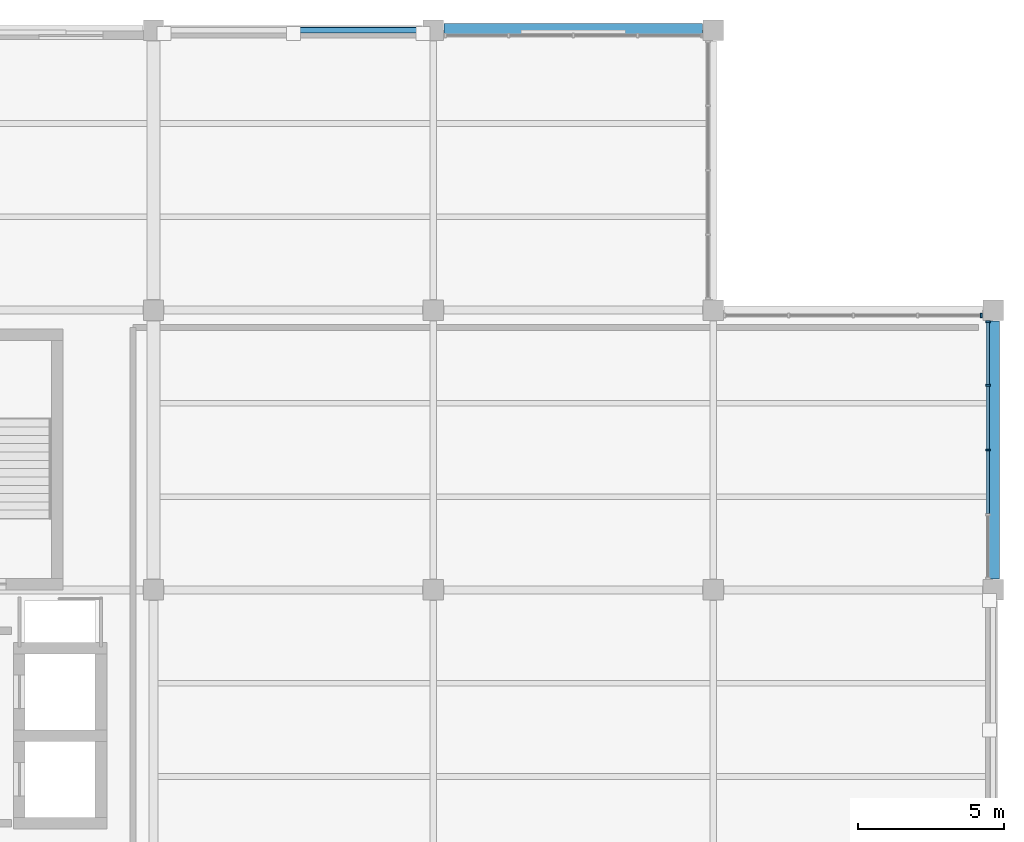
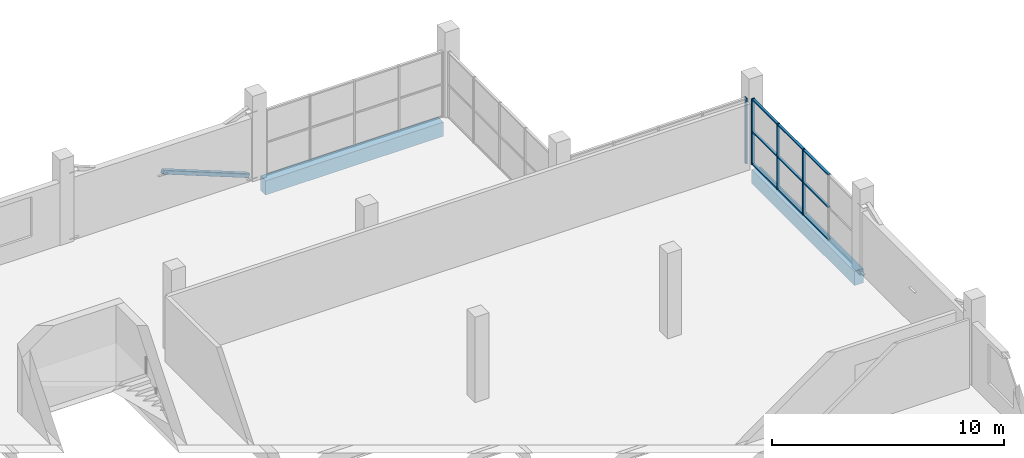
# One storey, part 47 of 92: 14 members, 2 beams, 2 elements without a shape of their own.
"""IFC4 building model written with IfcOpenShell, lengths in metres."""

from ifc_helpers import new_model, si_unit, direction, frame, origin, origin_2d, place, context, subcontext, project, spatial, rectangle, hollow_rectangle, extrude, material, layer, layer_set, material_profile, profile_set, type_object, element, aggregate, save


model = new_model("IFC4")

# Units and contexts
model_context = context("Model", 3, precision=1e-05, world=origin(), true_north=direction((0.0, 1.0)))
body_context = subcontext(model_context, "Body", "Model", "MODEL_VIEW")
ifc_project = project(units=[si_unit("LENGTHUNIT", "METRE"), si_unit("AREAUNIT", "SQUARE_METRE"), si_unit("VOLUMEUNIT", "CUBIC_METRE"), si_unit("PLANEANGLEUNIT", "RADIAN"), si_unit("MASSUNIT", "GRAM", prefix="KILO")], contexts=[model_context])

# Site, building, storey
site_placement = place(None, origin())
site = spatial("IfcSite", under=ifc_project, at=site_placement, CompositionType="ELEMENT")
building_placement = place(site_placement, origin())
building = spatial("IfcBuilding", under=site, at=building_placement, Name="Caelomonte Colonnade Arena", CompositionType="ELEMENT")
storey_placement = place(building_placement, frame((0.0, 0.0, 9.60009765625)))
storey = spatial("IfcBuildingStorey", under=building, at=storey_placement, Name="L02", CompositionType="ELEMENT", Elevation=9.60009765625)

# Curtain wall, members
ifc_material_1 = material(Name="Bronze anodised aluminium and low-E glazing", Category="aluminium")
ifc_layer = layer(ifc_material_1, 0.179931640625)
ifc_layer_set = layer_set([ifc_layer], Name="Bronze anodised aluminium and low-E glazing")
curtain_wall_type = type_object("IfcCurtainWallType", Name="ENV-CW-CW-L02-96-35", PredefinedType="USERDEFINED", material=ifc_layer_set)
curtain_wall_1_placement = place(storey_placement, origin())
curtain_wall_1 = element("IfcCurtainWall", 1, at=curtain_wall_1_placement, inside=storey, type_object=curtain_wall_type, Name="L02 unitized curtain wall CW-L02-1918-1296", ObjectType="UNITIZED CURTAIN WALL", PredefinedType="USERDEFINED")
ifc_material_2 = material(Name="Bronze anodised aluminium AA6063-T6", Category="aluminium")
ifc_material_profile_1 = material_profile(ifc_material_2, rectangle(XDim=0.06494140625, YDim=0.14990234375, at=origin_2d()), Name="CWM-65X150")
ifc_profile_set_1 = profile_set([ifc_material_profile_1], Name="Bronze anodised aluminium AA6063-T6")
member_type_1 = type_object("IfcMemberType", Name="ENV-CW-MULL2", PredefinedType="MULLION", material=ifc_profile_set_1)
member_1_placement = place(storey_placement, frame((191.820068359375, 129.60009765625, 0.0), z_axis=(0.0, 0.0, 1.0), x_axis=(0.0, 1.0, 0.0)))
member_1 = element("IfcMember", 2, at=member_1_placement, type_object=member_type_1, Name="CW-L02-96-35 mullion 3", PredefinedType="MULLION", context=body_context, shape_type="SweptSolid", body=[
    extrude(rectangle(XDim=0.06494140625, YDim=0.14990234375, at=origin_2d()), origin(), (0.0, 0.0, 1.0), 3.469970703125),
])
member_2_placement = place(storey_placement, frame((191.820068359375, 131.81494140625, 0.0), z_axis=(0.0, 0.0, 1.0), x_axis=(0.0, 1.0, 0.0)))
member_2 = element("IfcMember", 3, at=member_2_placement, type_object=member_type_1, Name="CW-L02-96-35 mullion 4", PredefinedType="MULLION", context=body_context, shape_type="SweptSolid", body=[
    extrude(rectangle(XDim=0.06494140625, YDim=0.14990234375, at=origin_2d()), origin(), (0.0, 0.0, 1.0), 3.469970703125),
])
member_3_placement = place(storey_placement, frame((191.820068359375, 133.99755859375, 0.0), z_axis=(0.0, 0.0, 1.0), x_axis=(0.0, 1.0, 0.0)))
member_3 = element("IfcMember", 4, at=member_3_placement, type_object=member_type_1, Name="CW-L02-96-35 mullion 5", PredefinedType="MULLION", context=body_context, shape_type="SweptSolid", body=[
    extrude(rectangle(XDim=0.06494140625, YDim=0.14990234375, at=origin_2d()), origin(), (0.0, 0.0, 1.0), 3.469970703125),
])

# Curtain wall, member
curtain_wall_2_placement = place(storey_placement, origin())
curtain_wall_2 = element("IfcCurtainWall", 5, at=curtain_wall_2_placement, inside=storey, type_object=curtain_wall_type, Name="L02 unitized curtain wall CW-L02-1872-1342", ObjectType="UNITIZED CURTAIN WALL", PredefinedType="USERDEFINED")
member_4_placement = place(storey_placement, frame((191.597412109375, 134.219970703125, 0.0), z_axis=(0.0, 0.0, 1.0), x_axis=(-1.0, 0.0, 0.0)))
member_4 = element("IfcMember", 6, at=member_4_placement, type_object=member_type_1, Name="CW-L02-96-35 mullion 1", PredefinedType="MULLION", context=body_context, shape_type="SweptSolid", body=[
    extrude(rectangle(XDim=0.06494140625, YDim=0.14990234375, at=origin_2d()), origin(), (0.0, 0.0, 1.0), 3.465576171875),
])
aggregate(curtain_wall_2, [member_4])

# Member
ifc_material_profile_2 = material_profile(ifc_material_2, rectangle(XDim=0.06494140625, YDim=0.1201171875, at=origin_2d()), Name="CWT-65X120")
ifc_profile_set_2 = profile_set([ifc_material_profile_2], Name="Bronze anodised aluminium AA6063-T6")
member_type_2 = type_object("IfcMemberType", Name="ENV-CW-TRAN2", PredefinedType="USERDEFINED", material=ifc_profile_set_2)
member_5_placement = place(storey_placement, frame((191.820068359375, 127.41748046875, 0.032470703125), z_axis=(0.0, 1.0, 0.0), x_axis=(0.0, 0.0, 1.0)))
member_5 = element("IfcMember", 7, at=member_5_placement, type_object=member_type_2, Name="CW-L02-96-35 transom 2.1", ObjectType="TRANSOM", PredefinedType="USERDEFINED", context=body_context, shape_type="SweptSolid", body=[
    extrude(rectangle(XDim=0.06494140625, YDim=0.1201171875, at=origin_2d()), origin(), (0.0, 0.0, 1.0), 2.14990234375),
])

member_6_placement = place(storey_placement, frame((191.820068359375, 127.41748046875, 1.73486328125), z_axis=(0.0, 1.0, 0.0), x_axis=(0.0, 0.0, 1.0)))
member_6 = element("IfcMember", 8, at=member_6_placement, type_object=member_type_2, Name="CW-L02-96-35 transom 2.2", ObjectType="TRANSOM", PredefinedType="USERDEFINED", context=body_context, shape_type="SweptSolid", body=[
    extrude(rectangle(XDim=0.06494140625, YDim=0.1201171875, at=origin_2d()), origin(), (0.0, 0.0, 1.0), 2.14990234375),
])

member_7_placement = place(storey_placement, frame((191.820068359375, 127.41748046875, 3.4375), z_axis=(0.0, 1.0, 0.0), x_axis=(0.0, 0.0, 1.0)))
member_7 = element("IfcMember", 9, at=member_7_placement, type_object=member_type_2, Name="CW-L02-96-35 transom 2.3", ObjectType="TRANSOM", PredefinedType="USERDEFINED", context=body_context, shape_type="SweptSolid", body=[
    extrude(rectangle(XDim=0.06494140625, YDim=0.1201171875, at=origin_2d()), origin(), (0.0, 0.0, 1.0), 2.14990234375),
])

member_8_placement = place(storey_placement, frame((191.820068359375, 129.632568359375, 0.032470703125), z_axis=(0.0, 1.0, 0.0), x_axis=(0.0, 0.0, 1.0)))
member_8 = element("IfcMember", 10, at=member_8_placement, type_object=member_type_2, Name="CW-L02-96-35 transom 3.1", ObjectType="TRANSOM", PredefinedType="USERDEFINED", context=body_context, shape_type="SweptSolid", body=[
    extrude(rectangle(XDim=0.06494140625, YDim=0.1201171875, at=origin_2d()), origin(), (0.0, 0.0, 1.0), 2.14990234375),
])

member_9_placement = place(storey_placement, frame((191.820068359375, 129.632568359375, 1.73486328125), z_axis=(0.0, 1.0, 0.0), x_axis=(0.0, 0.0, 1.0)))
member_9 = element("IfcMember", 11, at=member_9_placement, type_object=member_type_2, Name="CW-L02-96-35 transom 3.2", ObjectType="TRANSOM", PredefinedType="USERDEFINED", context=body_context, shape_type="SweptSolid", body=[
    extrude(rectangle(XDim=0.06494140625, YDim=0.1201171875, at=origin_2d()), origin(), (0.0, 0.0, 1.0), 2.14990234375),
])

member_10_placement = place(storey_placement, frame((191.820068359375, 129.632568359375, 3.4375), z_axis=(0.0, 1.0, 0.0), x_axis=(0.0, 0.0, 1.0)))
member_10 = element("IfcMember", 12, at=member_10_placement, type_object=member_type_2, Name="CW-L02-96-35 transom 3.3", ObjectType="TRANSOM", PredefinedType="USERDEFINED", context=body_context, shape_type="SweptSolid", body=[
    extrude(rectangle(XDim=0.06494140625, YDim=0.1201171875, at=origin_2d()), origin(), (0.0, 0.0, 1.0), 2.14990234375),
])

member_11_placement = place(storey_placement, frame((191.820068359375, 131.847412109375, 0.032470703125), z_axis=(0.0, 1.0, 0.0), x_axis=(0.0, 0.0, 1.0)))
member_11 = element("IfcMember", 13, at=member_11_placement, type_object=member_type_2, Name="CW-L02-96-35 transom 4.1", ObjectType="TRANSOM", PredefinedType="USERDEFINED", context=body_context, shape_type="SweptSolid", body=[
    extrude(rectangle(XDim=0.06494140625, YDim=0.1201171875, at=origin_2d()), origin(), (0.0, 0.0, 1.0), 2.11767578125),
])

member_12_placement = place(storey_placement, frame((191.820068359375, 131.847412109375, 1.73486328125), z_axis=(0.0, 1.0, 0.0), x_axis=(0.0, 0.0, 1.0)))
member_12 = element("IfcMember", 14, at=member_12_placement, type_object=member_type_2, Name="CW-L02-96-35 transom 4.2", ObjectType="TRANSOM", PredefinedType="USERDEFINED", context=body_context, shape_type="SweptSolid", body=[
    extrude(rectangle(XDim=0.06494140625, YDim=0.1201171875, at=origin_2d()), origin(), (0.0, 0.0, 1.0), 2.11767578125),
])

member_13_placement = place(storey_placement, frame((191.820068359375, 131.847412109375, 3.4375), z_axis=(0.0, 1.0, 0.0), x_axis=(0.0, 0.0, 1.0)))
member_13 = element("IfcMember", 15, at=member_13_placement, type_object=member_type_2, Name="CW-L02-96-35 transom 4.3", ObjectType="TRANSOM", PredefinedType="USERDEFINED", context=body_context, shape_type="SweptSolid", body=[
    extrude(rectangle(XDim=0.06494140625, YDim=0.1201171875, at=origin_2d()), origin(), (0.0, 0.0, 1.0), 2.11767578125),
])

aggregate(curtain_wall_1, [member_1, member_2, member_3, member_5, member_6, member_7, member_8, member_9, member_10, member_11, member_12, member_13])

ifc_material_3 = material(Name="Steel ASTM A500 Grade C", Category="steel")
ifc_material_profile_3 = material_profile(ifc_material_3, hollow_rectangle(XDim=0.203125, YDim=0.203125, WallThickness=0.009521484375, InnerFilletRadius=0.009521484375, OuterFilletRadius=0.01904296875, at=origin_2d()), Name="HSS203X203X9.5")
ifc_profile_set_3 = profile_set([ifc_material_profile_3], Name="Steel ASTM A500 Grade C")
member_type_3 = type_object("IfcMemberType", Name="STR-BF-DIAG3", PredefinedType="BRACE", material=ifc_profile_set_3)
member_14_placement = place(storey_placement, frame((172.436279296875, 144.0, 0.161376953125), z_axis=(-0.930355232807, 0.0, 0.366659434336), x_axis=(0.0, -1.0, 0.0)))
element("IfcMember", 16, at=member_14_placement, inside=storey, type_object=member_type_3, Name="Braced frame BF3 L02 split diagonal B1", PredefinedType="BRACE", context=body_context, shape_type="SweptSolid", body=[
    extrude(hollow_rectangle(XDim=0.203125, YDim=0.203125, WallThickness=0.009521484375, InnerFilletRadius=0.009521484375, OuterFilletRadius=0.01904296875, at=origin_2d()), origin(), (0.0, 0.0, 1.0), 4.604248046875),
])

# Beams
ifc_material_4 = material(Name="Concrete C40/50", Category="concrete")
ifc_material_profile_4 = material_profile(ifc_material_4, rectangle(XDim=0.449951171875, YDim=0.75, at=origin_2d()), Name="RC450X750")
ifc_profile_set_4 = profile_set([ifc_material_profile_4], Name="Concrete C40/50")
beam_type = type_object("IfcBeamType", Name="STR-BM-SPAN24", PredefinedType="SPANDREL", material=ifc_profile_set_4)
for number, where, z_axis, x_axis, name in (
    (17, (173.1669921875, 144.0, -0.655029296875), (1.0, 0.0, 0.0), (0.0, 1.0, 0.0), "L02 girder BMX-L02-1728-1440"),
    (18, (192.0, 125.1669921875, -0.655029296875), (0.0, 1.0, 0.0), (-1.0, 0.0, 0.0), "L02 girder BMY-L02-1920-1248"),
):
    element("IfcBeam", number, at=place(storey_placement, frame(where, z_axis=z_axis, x_axis=x_axis)), inside=storey, type_object=beam_type, Name=name, PredefinedType="SPANDREL", context=body_context, shape_type="SweptSolid", body=[
        extrude(rectangle(XDim=0.449951171875, YDim=0.75, at=origin_2d()), origin(), (0.0, 0.0, 1.0), 8.865966796875),
    ])

save(model, "model.ifc")
